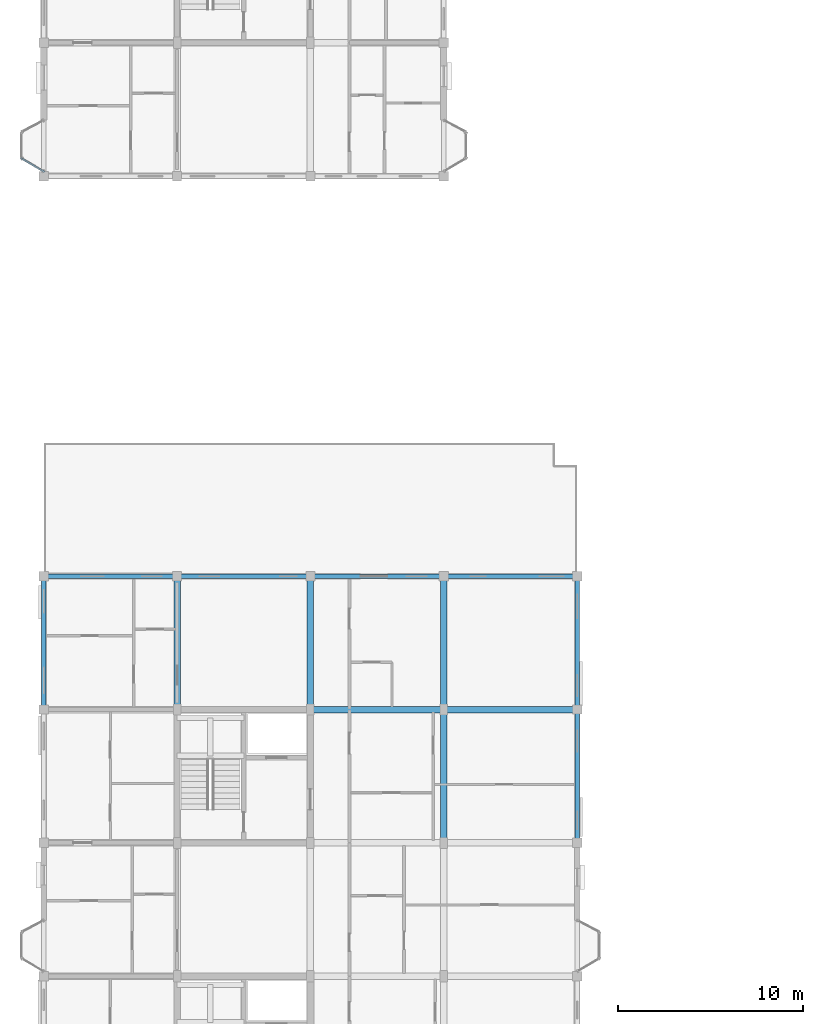
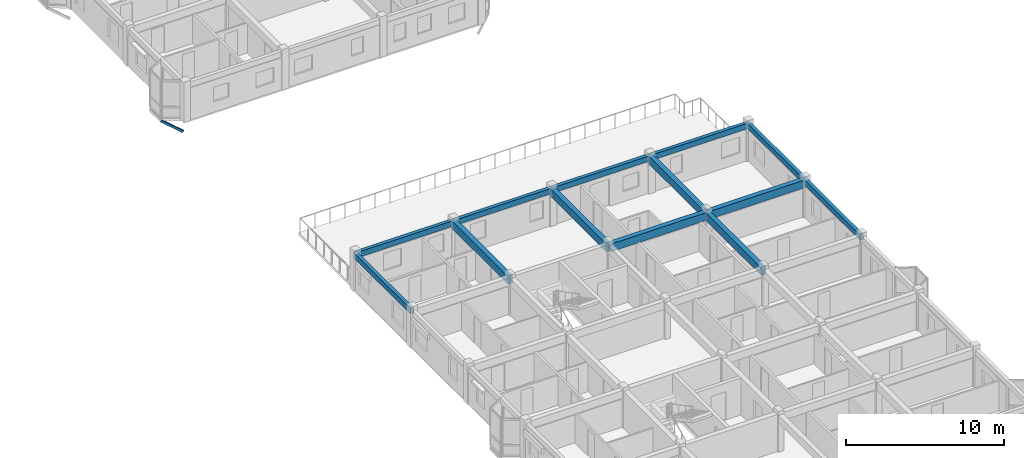
# One storey, part 13 of 70: 13 beams, 1 member.
"""IFC4 building model written with IfcOpenShell, lengths in metres."""

from ifc_helpers import new_model, si_unit, direction, frame, origin, origin_2d, place, context, subcontext, project, spatial, rectangle, hollow_rectangle, extrude, material, material_profile, profile_set, type_object, element, save


model = new_model("IFC4")

# Units and contexts
model_context = context("Model", 3, precision=1e-05, world=origin(), true_north=direction((0.0, 1.0)))
body_context = subcontext(model_context, "Body", "Model", "MODEL_VIEW")
ifc_project = project(units=[si_unit("LENGTHUNIT", "METRE"), si_unit("AREAUNIT", "SQUARE_METRE"), si_unit("VOLUMEUNIT", "CUBIC_METRE"), si_unit("PLANEANGLEUNIT", "RADIAN"), si_unit("MASSUNIT", "GRAM", prefix="KILO"), si_unit("THERMODYNAMICTEMPERATUREUNIT", "KELVIN"), si_unit("POWERUNIT", "WATT")], contexts=[model_context])

# Site, building, storey
site_placement = place(None, origin())
site = spatial("IfcSite", under=ifc_project, at=site_placement, CompositionType="ELEMENT")
building_placement = place(site_placement, origin())
building = spatial("IfcBuilding", under=site, at=building_placement, Name="Tavuni Mirador Residences", CompositionType="ELEMENT")
storey_placement = place(building_placement, frame((0.0, 0.0, 23.39990234375)))
storey = spatial("IfcBuildingStorey", under=building, at=storey_placement, Name="L07", CompositionType="ELEMENT", Elevation=23.39990234375)

# Beams
ifc_material_1 = material(Name="Precast concrete C40/50", Category="concrete")
ifc_material_profile_1 = material_profile(ifc_material_1, rectangle(XDim=0.35009765625, YDim=0.60009765625, at=origin_2d()), Name="PC 350x600", Category="concrete")
ifc_profile_set_1 = profile_set([ifc_material_profile_1], Name="Precast concrete C40/50")
beam_type_1 = type_object("IfcBeamType", Name="BT-B600", PredefinedType="BEAM", material=ifc_profile_set_1)
for number, where, z_axis, x_axis, name in (
    (1, (18.0, 36.0, 2.570068359375), (1.0, 0.0, 0.0), (0.0, 1.0, 0.0), "BMX-BLK-A-L07-02-04"),
    (2, (25.199951171875, 36.0, 2.570068359375), (1.0, 0.0, 0.0), (0.0, 1.0, 0.0), "BMX-BLK-A-L07-03-04"),
    (3, (10.800048828125, 36.0, 2.570068359375), (0.0, 1.0, 0.0), (-1.0, 0.0, 0.0), "BMY-BLK-A-L07-01-04"),
    (4, (18.0, 36.0, 2.570068359375), (0.0, 1.0, 0.0), (-1.0, 0.0, 0.0), "BMY-BLK-A-L07-02-04"),
    (5, (25.199951171875, 28.800048828125, 2.570068359375), (0.0, 1.0, 0.0), (-1.0, 0.0, 0.0), "BMY-BLK-A-L07-03-03"),
    (6, (25.199951171875, 36.0, 2.570068359375), (0.0, 1.0, 0.0), (-1.0, 0.0, 0.0), "BMY-BLK-A-L07-03-04"),
):
    element("IfcBeam", number, at=place(storey_placement, frame(where, z_axis=z_axis, x_axis=x_axis)), inside=storey, type_object=beam_type_1, Name=name, PredefinedType="BEAM", context=body_context, shape_type="SweptSolid", body=[
        extrude(rectangle(XDim=0.35009765625, YDim=0.60009765625, at=origin_2d()), origin(), (0.0, 0.0, 1.0), 7.199951171875),
    ])
ifc_material_profile_2 = material_profile(ifc_material_1, rectangle(XDim=0.25, YDim=0.419921875, at=origin_2d()), Name="PC 250x420", Category="concrete")
ifc_profile_set_2 = profile_set([ifc_material_profile_2], Name="Precast concrete C40/50")
beam_type_2 = type_object("IfcBeamType", Name="BT-SP420", PredefinedType="SPANDREL", material=ifc_profile_set_2)
for number, where, z_axis, x_axis, name in (
    (7, (3.60009765625, 43.199951171875, 2.66015625), (1.0, 0.0, 0.0), (0.0, 1.0, 0.0), "BMX-BLK-A-L07-00-05"),
    (8, (10.800048828125, 43.199951171875, 2.66015625), (1.0, 0.0, 0.0), (0.0, 1.0, 0.0), "BMX-BLK-A-L07-01-05"),
    (9, (18.0, 43.199951171875, 2.66015625), (1.0, 0.0, 0.0), (0.0, 1.0, 0.0), "BMX-BLK-A-L07-02-05"),
    (10, (25.199951171875, 43.199951171875, 2.66015625), (1.0, 0.0, 0.0), (0.0, 1.0, 0.0), "BMX-BLK-A-L07-03-05"),
    (11, (3.60009765625, 36.0, 2.66015625), (0.0, 1.0, 0.0), (-1.0, 0.0, 0.0), "BMY-BLK-A-L07-00-04"),
    (12, (32.39990234375, 28.800048828125, 2.66015625), (0.0, 1.0, 0.0), (-1.0, 0.0, 0.0), "BMY-BLK-A-L07-04-03"),
    (13, (32.39990234375, 36.0, 2.66015625), (0.0, 1.0, 0.0), (-1.0, 0.0, 0.0), "BMY-BLK-A-L07-04-04"),
):
    element("IfcBeam", number, at=place(storey_placement, frame(where, z_axis=z_axis, x_axis=x_axis)), inside=storey, type_object=beam_type_2, Name=name, PredefinedType="SPANDREL", context=body_context, shape_type="SweptSolid", body=[
        extrude(rectangle(XDim=0.25, YDim=0.419921875, at=origin_2d()), origin(), (0.0, 0.0, 1.0), 7.199951171875),
    ])

# Member
ifc_material_2 = material(Name="Structural steel S355", Category="steel")
ifc_material_profile_3 = material_profile(ifc_material_2, hollow_rectangle(XDim=0.10009765625, YDim=0.179931640625, WallThickness=0.008056640625, at=origin_2d()), Name="RHS 180x100x8.0", Category="steel")
ifc_profile_set_3 = profile_set([ifc_material_profile_3], Name="Structural steel S355")
member_type = type_object("IfcMemberType", Name="MT-BR-RHS180", PredefinedType="BRACE", material=ifc_profile_set_3)
member_placement = place(storey_placement, frame((3.60009765625, 65.050048828125, -1.0498046875), z_axis=(-0.744284769338, 0.440272601553, 0.502195398677), x_axis=(-0.50913035723, -0.860689420957, 0.0)))
element("IfcMember", 14, at=member_placement, inside=storey, type_object=member_type, Name="MBRK-MIR-B-W1-L07-1", PredefinedType="BRACE", context=body_context, shape_type="SweptSolid", body=[
    extrude(hollow_rectangle(XDim=0.10009765625, YDim=0.179931640625, WallThickness=0.008056640625, at=origin_2d()), origin(), (0.0, 0.0, 1.0), 1.612548828125),
])

save(model, "model.ifc")
